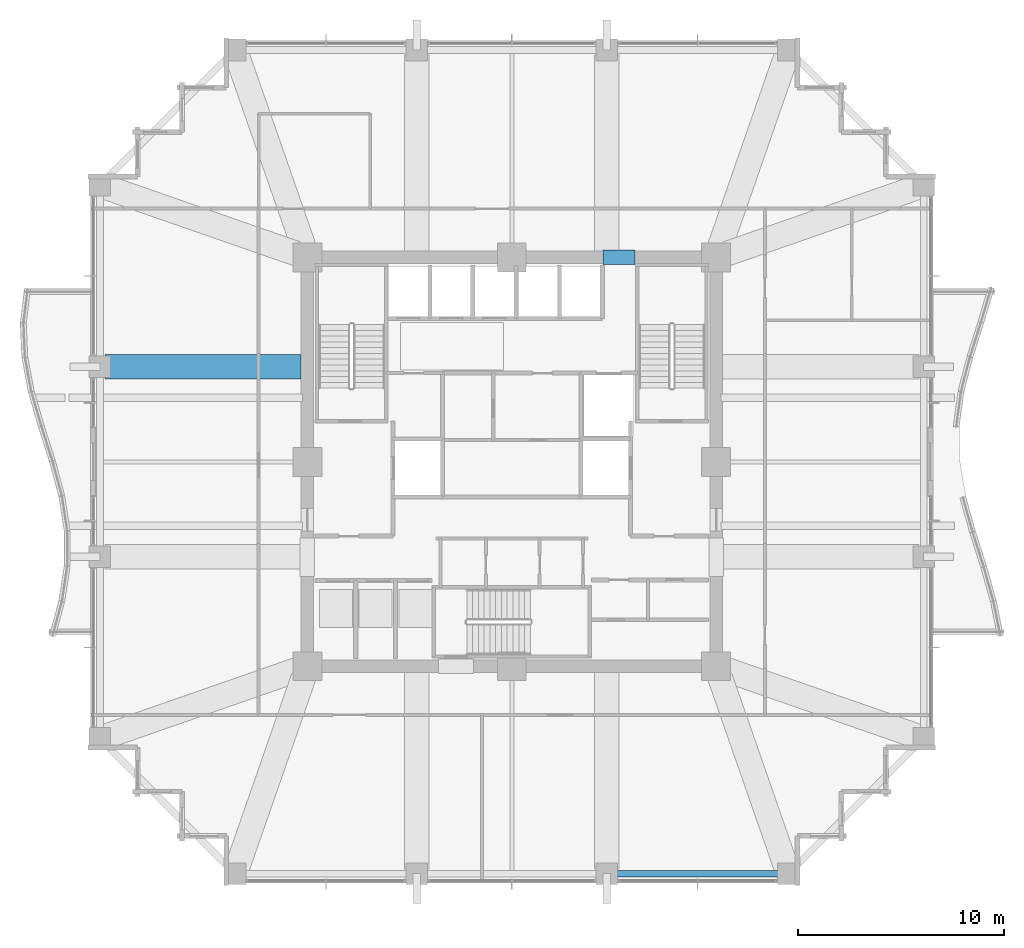
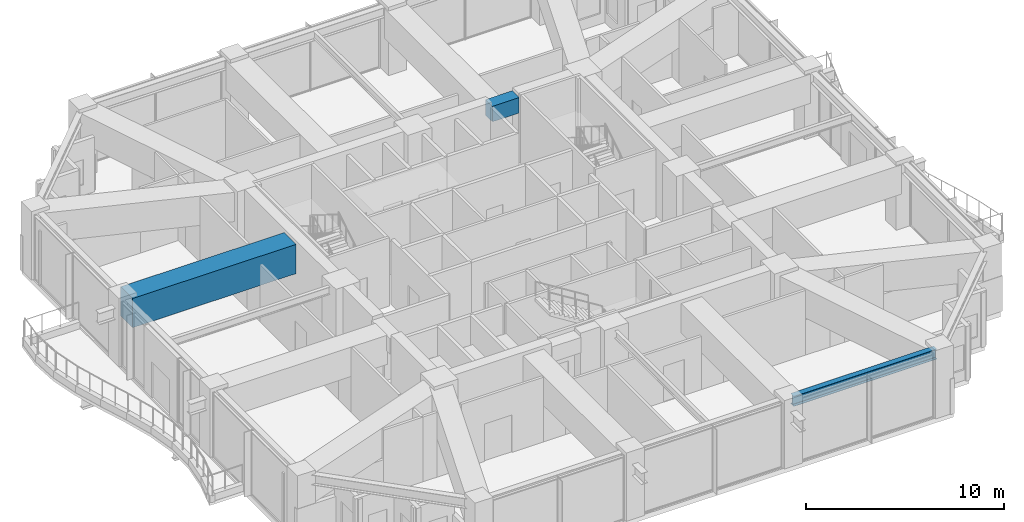
# One storey, part 12 of 40: 3 beams.
"""IFC4 building model written with IfcOpenShell, lengths in metres."""

from ifc_helpers import new_model, si_unit, direction, frame, origin, origin_2d, place, context, subcontext, project, spatial, rectangle, i_section, extrude, material, material_profile, profile_set, type_object, element, save


model = new_model("IFC4")

# Units and contexts
model_context = context("Model", 3, precision=1e-05, world=origin(), true_north=direction((0.0, 1.0)))
body_context = subcontext(model_context, "Body", "Model", "MODEL_VIEW")
ifc_project = project(units=[si_unit("LENGTHUNIT", "METRE"), si_unit("AREAUNIT", "SQUARE_METRE"), si_unit("VOLUMEUNIT", "CUBIC_METRE"), si_unit("PLANEANGLEUNIT", "RADIAN"), si_unit("MASSUNIT", "GRAM", prefix="KILO")], contexts=[model_context])

# Site, building, storey
site_placement = place(None, origin())
site = spatial("IfcSite", under=ifc_project, at=site_placement, CompositionType="ELEMENT")
building_placement = place(site_placement, origin())
building = spatial("IfcBuilding", under=site, at=building_placement, Name="Kolvaren Belvedere", CompositionType="ELEMENT")
storey_placement = place(building_placement, frame((0.0, 0.0, 68.0)))
storey = spatial("IfcBuildingStorey", under=building, at=storey_placement, Name="L19", CompositionType="ELEMENT", Elevation=68.0)

# Beams
ifc_material_1 = material(Name="Concrete C60/75", Category="concrete")
ifc_material_profile_1 = material_profile(ifc_material_1, rectangle(XDim=0.699951171875, YDim=0.949951171875, at=origin_2d()), Name="RC 700X950")
ifc_profile_set_1 = profile_set([ifc_material_profile_1], Name="Concrete C60/75")
beam_type_1 = type_object("IfcBeamType", Name="BM-LINT-950", PredefinedType="LINTEL", material=ifc_profile_set_1)
beam_1_placement = place(storey_placement, frame((4.419921875, 9.89990234375, 3.5048828125), z_axis=(1.0, 0.0, 0.0), x_axis=(0.0, 1.0, 0.0)))
element("IfcBeam", 1, at=beam_1_placement, inside=storey, type_object=beam_type_1, Name="L19 North Core Coupling Lintel", PredefinedType="LINTEL", context=body_context, shape_type="SweptSolid", body=[
    extrude(rectangle(XDim=0.699951171875, YDim=0.949951171875, at=origin_2d()), origin(), (0.0, 0.0, 1.0), 1.56005859375),
])
ifc_material_2 = material(Name="Structural steel ASTM A992 Grade 50", Category="steel")
ifc_material_profile_2 = material_profile(ifc_material_2, i_section(OverallWidth=0.324951171875, OverallDepth=0.615966796875, WebThickness=0.013916015625, FlangeThickness=0.021484375, FilletRadius=0.02001953125, at=origin_2d()), Name="W24X117")
ifc_profile_set_2 = profile_set([ifc_material_profile_2], Name="Structural steel ASTM A992 Grade 50")
beam_type_2 = type_object("IfcBeamType", Name="BM-SPAN-W24X117", PredefinedType="SPANDREL", material=ifc_profile_set_2)
beam_2_placement = place(storey_placement, frame((4.836181640625, -19.949951171875, 3.672119140625), z_axis=(1.0, 0.0, 0.0), x_axis=(0.0, 1.0, 0.0)))
element("IfcBeam", 2, at=beam_2_placement, inside=storey, type_object=beam_type_2, Name="L19 Perimeter Spandrel S3-S4", PredefinedType="SPANDREL", context=body_context, shape_type="SweptSolid", body=[
    extrude(i_section(OverallWidth=0.324951171875, OverallDepth=0.615966796875, WebThickness=0.013916015625, FlangeThickness=0.021484375, FilletRadius=0.02001953125, at=origin_2d()), origin(), (0.0, 0.0, 1.0), 8.32763671875),
])
ifc_material_3 = material(Name="Concrete C50/60", Category="concrete")
ifc_material_profile_3 = material_profile(ifc_material_3, rectangle(XDim=1.199951171875, YDim=1.800048828125, at=origin_2d()), Name="RC 1200X1800")
ifc_profile_set_3 = profile_set([ifc_material_profile_3], Name="Concrete C50/60")
beam_type_3 = type_object("IfcBeamType", Name="BM-TG-1800", PredefinedType="BEAM", material=ifc_profile_set_3)
beam_3_placement = place(storey_placement, frame((-10.199951171875, 4.60009765625, 3.080078125), z_axis=(-1.0, 0.0, 0.0), x_axis=(0.0, -1.0, 0.0)))
element("IfcBeam", 3, at=beam_3_placement, inside=storey, type_object=beam_type_3, Name="L19 West Radial Girder P", PredefinedType="BEAM", context=body_context, shape_type="SweptSolid", body=[
    extrude(rectangle(XDim=1.199951171875, YDim=1.800048828125, at=origin_2d()), origin(), (0.0, 0.0, 1.0), 9.513916015625),
])

save(model, "model.ifc")
